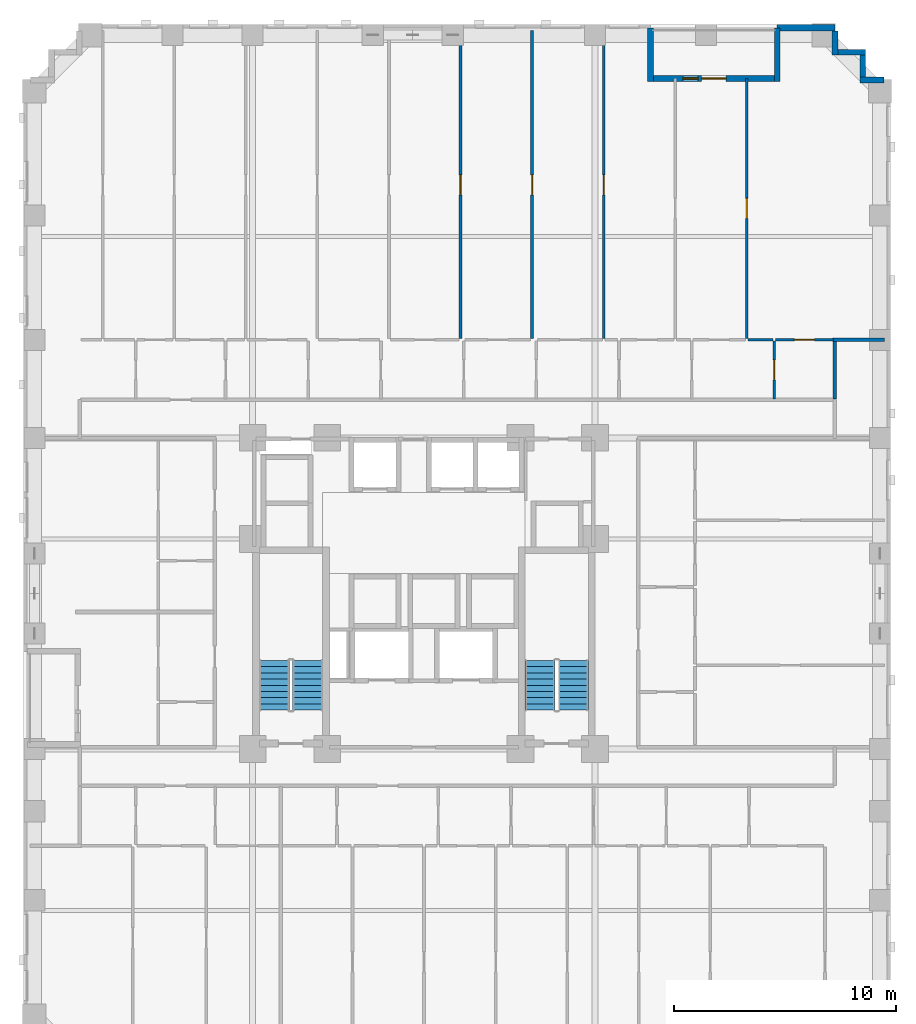
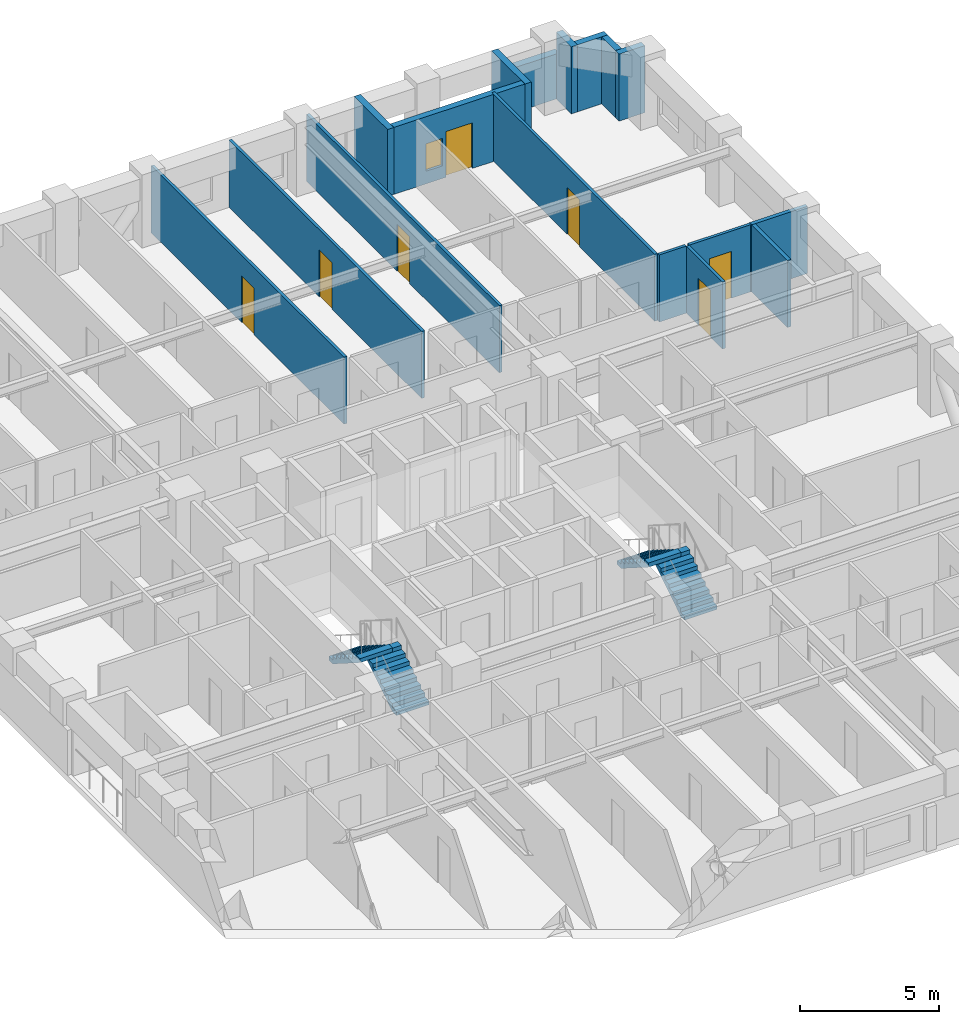
# One storey, part 9 of 14: 17 walls, 7 doors, 4 stair flights, 1 window, 8 openings, 2 elements without a shape of their own.
"""IFC4 building model written with IfcOpenShell, lengths in metres."""

from ifc_helpers import new_model, si_unit, derived_unit, direction, frame, frame_2d, origin, place, context, subcontext, project, spatial, polyline, rectangle, outline, extrude, material, layer, layer_set, type_object, element, fill, aggregate, save


model = new_model("IFC4")

# Units and contexts
model_context = context("Model", 3, precision=1e-05, world=origin(), true_north=direction((0.0, 1.0)))
body_context = subcontext(model_context, "Body", "Model", "MODEL_VIEW")
ifc_project = project(units=[si_unit("LENGTHUNIT", "METRE"), si_unit("AREAUNIT", "SQUARE_METRE"), si_unit("VOLUMEUNIT", "CUBIC_METRE"), si_unit("PLANEANGLEUNIT", "RADIAN"), si_unit("MASSUNIT", "GRAM", prefix="KILO"), derived_unit("THERMALTRANSMITTANCEUNIT", [(si_unit("MASSUNIT", "GRAM", prefix="KILO"), 1), (si_unit("TIMEUNIT", "SECOND"), -3), (si_unit("THERMODYNAMICTEMPERATUREUNIT", "KELVIN"), -1)])], contexts=[model_context])

# Site, building, storey
site_placement = place(None, origin())
site = spatial("IfcSite", under=ifc_project, at=site_placement, CompositionType="ELEMENT")
building_placement = place(site_placement, origin())
building = spatial("IfcBuilding", under=site, at=building_placement, Name="Korrvale Station Residences", CompositionType="ELEMENT")
storey_placement = place(building_placement, frame((0.0, 0.0, 45.0)))
storey = spatial("IfcBuildingStorey", under=building, at=storey_placement, Name="L11", CompositionType="ELEMENT", Elevation=45.0)

# Wall
ifc_material_1 = material(Name="Precast concrete C45/55", Category="concrete")
ifc_layer_1 = layer(ifc_material_1, 0.260009765625, Name="Precast concrete C45/55")
ifc_layer_set_1 = layer_set([ifc_layer_1], Name="Precast concrete C45/55")
wall_type_1 = type_object("IfcWallType", Name="WAL-EXT-LOG260", PredefinedType="SOLIDWALL", material=ifc_layer_set_1)
wall_1_placement = place(storey_placement, frame((35.699951171875, 47.43994140625, 0.0), z_axis=(0.0, 0.0, 1.0), x_axis=(0.0, -1.0, 0.0)))
element("IfcWall", 1, at=wall_1_placement, inside=storey, type_object=wall_type_1, Name="L11 Recessed Loggia Wall BAL-L11-N1-L", PredefinedType="SOLIDWALL", context=body_context, shape_type="SweptSolid", body=[
    extrude(rectangle(XDim=2.39990234375, YDim=0.260009765625, at=frame_2d((1.199951171875, 0.0))), origin(), (0.0, 0.0, 1.0), 2.93994140625),
])

# Wall, openings, door, window
wall_2_placement = place(storey_placement, frame((35.833984375, 45.169921875, 0.0), z_axis=(0.0, 0.0, 1.0), x_axis=(1.0, 0.0, 0.0)))
wall_2 = element("IfcWall", 2, at=wall_2_placement, inside=storey, type_object=wall_type_1, Name="L11 Recessed Loggia Wall BAL-L11-N1-B", PredefinedType="SOLIDWALL", context=body_context, shape_type="SweptSolid", body=[
    extrude(rectangle(XDim=5.43212890625, YDim=0.260009765625, at=frame_2d((2.716064453125, 0.0))), origin(), (0.0, 0.0, 1.0), 2.93994140625),
])
opening_1_placement = place(wall_2_placement, frame((2.166015625, 0.0, 0.0)))
opening_1 = element("IfcOpeningElement", 3, at=opening_1_placement, cuts=wall_2, Name="Opening BD-01", PredefinedType="OPENING", context=body_context, shape_type="SweptSolid", body=[
    extrude(rectangle(XDim=1.10009765625, YDim=2.0, at=frame_2d((0.550048828125, 1.0))), frame((0.0, 0.14013671875, 0.0), z_axis=(0.0, -1.0, 0.0), x_axis=(1.0, 0.0, 0.0)), (0.0, 0.0, 1.0), 0.280029296875),
])
opening_2_placement = place(wall_2_placement, frame((1.325927734375, 0.0, 0.550048828125)))
opening_2 = element("IfcOpeningElement", 4, at=opening_2_placement, cuts=wall_2, Name="Opening W-12", PredefinedType="OPENING", context=body_context, shape_type="SweptSolid", body=[
    extrude(rectangle(XDim=0.679931640625, YDim=1.199951171875, at=frame_2d((0.33984375, 0.60009765625))), frame((0.0, 0.14013671875, 0.0), z_axis=(0.0, -1.0, 0.0), x_axis=(1.0, 0.0, 0.0)), (0.0, 0.0, 1.0), 0.280029296875),
])
ifc_material_2 = material(Name="Exterior thermally broken aluminium glazed balcony door", Category="aluminium")
door_type_1 = type_object("IfcDoorType", Name="DR-EXT-BAL", OperationType="NOTDEFINED", PredefinedType="DOOR", material=ifc_material_2)
door_1_placement = place(opening_1_placement, origin())
door_1 = element("IfcDoor", 5, at=door_1_placement, inside=storey, type_object=door_type_1, Name="L11 Loggia Balcony Door BAL-L11-N1", OperationType="SINGLE_SWING_RIGHT", OverallHeight=2.0, OverallWidth=1.10009765625, PredefinedType="DOOR", context=body_context, shape_type="SweptSolid", body=[
    extrude(rectangle(XDim=1.10009765625, YDim=2.0, at=frame_2d((0.550048828125, 1.0))), frame((0.0, 0.02490234375, 0.0), z_axis=(0.0, -1.0, 0.0), x_axis=(1.0, 0.0, 0.0)), (0.0, 0.0, 1.0), 0.050048828125),
])
fill(opening_1, door_1)
ifc_material_3 = material(Name="Thermally broken aluminium frame with triple low-e glazing", Category="aluminium")
window_type = type_object("IfcWindowType", Name="WIN-W12", PartitioningType="SINGLE_PANEL", PredefinedType="WINDOW", material=ifc_material_3)
window_placement = place(opening_2_placement, origin())
window = element("IfcWindow", 6, at=window_placement, inside=storey, type_object=window_type, Name="L11 Punched Window 22", OverallHeight=1.199951171875, OverallWidth=0.679931640625, PartitioningType="SINGLE_PANEL", PredefinedType="WINDOW", context=body_context, shape_type="SweptSolid", body=[
    extrude(rectangle(XDim=0.679931640625, YDim=1.199951171875, at=frame_2d((0.33984375, 0.60009765625))), frame((0.0, 0.030029296875, 0.0), z_axis=(0.0, -1.0, 0.0), x_axis=(1.0, 0.0, 0.0)), (0.0, 0.0, 1.0), 0.06005859375),
])
fill(opening_2, window)

# Walls
wall_3_placement = place(storey_placement, frame((41.39990234375, 45.0400390625, 0.0), z_axis=(0.0, 0.0, 1.0), x_axis=(0.0, 1.0, 0.0)))
element("IfcWall", 7, at=wall_3_placement, inside=storey, type_object=wall_type_1, Name="L11 Recessed Loggia Wall BAL-L11-N1-R", PredefinedType="SOLIDWALL", context=body_context, shape_type="SweptSolid", body=[
    extrude(rectangle(XDim=2.39990234375, YDim=0.260009765625, at=frame_2d((1.199951171875, 0.0))), origin(), (0.0, 0.0, 1.0), 2.93994140625),
])
wall_4_placement = place(storey_placement, frame((44.0, 47.298095703125, 0.0), z_axis=(0.0, 0.0, 1.0), x_axis=(0.0, -1.0, 0.0)))
element("IfcWall", 8, at=wall_4_placement, inside=storey, type_object=wall_type_1, Name="L11 Serrated Corner Precast Step NE-1", PredefinedType="SOLIDWALL", context=body_context, shape_type="SweptSolid", body=[
    extrude(rectangle(XDim=1.078125, YDim=0.260009765625, at=frame_2d((0.5390625, 0.0))), origin(), (0.0, 0.0, 1.0), 2.93994140625),
])
wall_5_placement = place(storey_placement, frame((44.132080078125, 46.35009765625, 0.0), z_axis=(0.0, 0.0, 1.0), x_axis=(1.0, 0.0, 0.0)))
element("IfcWall", 9, at=wall_5_placement, inside=storey, type_object=wall_type_1, Name="L11 Serrated Corner Precast Step NE-2", PredefinedType="SOLIDWALL", context=body_context, shape_type="SweptSolid", body=[
    extrude(rectangle(XDim=1.247802734375, YDim=0.260009765625, at=frame_2d((0.6240234375, 0.0))), origin(), (0.0, 0.0, 1.0), 2.93994140625),
])
wall_6_placement = place(storey_placement, frame((45.25, 46.218017578125, 0.0), z_axis=(0.0, 0.0, 1.0), x_axis=(0.0, -1.0, 0.0)))
element("IfcWall", 10, at=wall_6_placement, inside=storey, type_object=wall_type_1, Name="L11 Serrated Corner Precast Step NE-3", PredefinedType="SOLIDWALL", context=body_context, shape_type="SweptSolid", body=[
    extrude(rectangle(XDim=0.986083984375, YDim=0.260009765625, at=frame_2d((0.4931640625, 0.0))), origin(), (0.0, 0.0, 1.0), 2.93994140625),
])
wall_7_placement = place(storey_placement, frame((45.1201171875, 45.10009765625, 0.0), z_axis=(0.0, 0.0, 1.0), x_axis=(1.0, 0.0, 0.0)))
element("IfcWall", 11, at=wall_7_placement, inside=storey, type_object=wall_type_1, Name="L11 Serrated Corner Precast Step NE-4", PredefinedType="SOLIDWALL", context=body_context, shape_type="SweptSolid", body=[
    extrude(rectangle(XDim=1.077880859375, YDim=0.260009765625, at=frame_2d((0.5390625, 0.0))), origin(), (0.0, 0.0, 1.0), 2.93994140625),
])
ifc_layer_2 = layer(ifc_material_1, 0.300048828125, Name="Precast concrete C45/55")
ifc_layer_set_2 = layer_set([ifc_layer_2], Name="Precast concrete C45/55")
wall_type_2 = type_object("IfcWallType", Name="WAL-EXT-PC300", PredefinedType="SOLIDWALL", material=ifc_layer_set_2)
wall_8_placement = place(storey_placement, frame((41.39990234375, 47.449951171875, 0.0), z_axis=(0.0, 0.0, 1.0), x_axis=(1.0, 0.0, 0.0)))
element("IfcWall", 12, at=wall_8_placement, inside=storey, type_object=wall_type_2, Name="L11 North Exterior Precast Wall 2", PredefinedType="SOLIDWALL", context=body_context, shape_type="SweptSolid", body=[
    extrude(rectangle(XDim=2.60009765625, YDim=0.300048828125, at=frame_2d((1.300048828125, 0.0))), origin(), (0.0, 0.0, 1.0), 1.97509765625),
])

# Wall, opening, door
ifc_material_4 = material(Name="Acoustic steel-stud gypsum board partition", Category="steel")
ifc_layer_3 = layer(ifc_material_4, 0.1201171875, Name="Acoustic steel-stud gypsum board partition")
ifc_layer_set_3 = layer_set([ifc_layer_3], Name="Acoustic steel-stud gypsum board partition")
wall_type_3 = type_object("IfcWallType", Name="WAL-PART-125", PredefinedType="PARTITIONING", material=ifc_layer_set_3)
wall_9_placement = place(storey_placement, frame((41.27001953125, 30.760009765625, 0.0), z_axis=(0.0, 0.0, 1.0), x_axis=(0.0, 1.0, 0.0)))
wall_9 = element("IfcWall", 13, at=wall_9_placement, inside=storey, type_object=wall_type_3, Name="L11 Suite Partition U03-V89", PredefinedType="PARTITIONING", context=body_context, shape_type="SweptSolid", body=[
    extrude(rectangle(XDim=2.60009765625, YDim=0.1201171875, at=frame_2d((1.300048828125, 0.0))), origin(), (0.0, 0.0, 1.0), 2.93994140625),
])
opening_3_placement = place(wall_9_placement, frame((0.85009765625, 0.0, 0.0)))
opening_3 = element("IfcOpeningElement", 14, at=opening_3_placement, cuts=wall_9, Name="Opening DI-900", PredefinedType="OPENING", context=body_context, shape_type="SweptSolid", body=[
    extrude(rectangle(XDim=0.89990234375, YDim=2.050048828125, at=frame_2d((0.449951171875, 1.02490234375))), frame((0.0, 0.070068359375, 0.0), z_axis=(0.0, -1.0, 0.0), x_axis=(1.0, 0.0, 0.0)), (0.0, 0.0, 1.0), 0.14013671875),
])
ifc_material_5 = material(Name="Painted solid-core timber interior room door", Category="wood")
door_type_2 = type_object("IfcDoorType", Name="DR-INT-900", OperationType="NOTDEFINED", PredefinedType="DOOR", material=ifc_material_5)
door_2_placement = place(opening_3_placement, origin())
door_2 = element("IfcDoor", 15, at=door_2_placement, inside=storey, type_object=door_type_2, Name="L11 Studio Apartment L11-U03 Storage Closet 7 Door", OperationType="SINGLE_SWING_RIGHT", OverallHeight=2.050048828125, OverallWidth=0.89990234375, PredefinedType="DOOR", context=body_context, shape_type="SweptSolid", body=[
    extrude(rectangle(XDim=0.89990234375, YDim=2.050048828125, at=frame_2d((0.449951171875, 1.02490234375))), frame((0.0, 0.02490234375, 0.0), z_axis=(0.0, -1.0, 0.0), x_axis=(1.0, 0.0, 0.0)), (0.0, 0.0, 1.0), 0.050048828125),
])
fill(opening_3, door_2)

# Wall
wall_10_placement = place(storey_placement, frame((40.090087890625, 33.419921875, 0.0), z_axis=(0.0, 0.0, 1.0), x_axis=(1.0, 0.0, 0.0)))
element("IfcWall", 16, at=wall_10_placement, inside=storey, type_object=wall_type_3, Name="L11 Suite Partition U03-H820", PredefinedType="PARTITIONING", context=body_context, shape_type="SweptSolid", body=[
    extrude(rectangle(XDim=1.119873046875, YDim=0.1201171875, at=frame_2d((0.56005859375, 0.0))), origin(), (0.0, 0.0, 1.0), 2.93994140625),
])

# Wall, opening, door
wall_11_placement = place(storey_placement, frame((41.330078125, 33.419921875, 0.0), z_axis=(0.0, 0.0, 1.0), x_axis=(1.0, 0.0, 0.0)))
wall_11 = element("IfcWall", 17, at=wall_11_placement, inside=storey, type_object=wall_type_3, Name="L11 Suite Partition U03-H920", PredefinedType="PARTITIONING", context=body_context, shape_type="SweptSolid", body=[
    extrude(rectangle(XDim=2.58984375, YDim=0.1201171875, at=frame_2d((1.294921875, 0.0))), origin(), (0.0, 0.0, 1.0), 2.93994140625),
])
opening_4_placement = place(wall_11_placement, frame((0.844970703125, 0.0, 0.0)))
opening_4 = element("IfcOpeningElement", 18, at=opening_4_placement, cuts=wall_11, Name="Opening DI-900", PredefinedType="OPENING", context=body_context, shape_type="SweptSolid", body=[
    extrude(rectangle(XDim=0.89990234375, YDim=2.050048828125, at=frame_2d((0.449951171875, 1.02490234375))), frame((0.0, 0.070068359375, 0.0), z_axis=(0.0, -1.0, 0.0), x_axis=(1.0, 0.0, 0.0)), (0.0, 0.0, 1.0), 0.14013671875),
])
door_3_placement = place(opening_4_placement, origin())
door_3 = element("IfcDoor", 19, at=door_3_placement, inside=storey, type_object=door_type_2, Name="L11 Studio Apartment L11-U03 Storage Closet 8 Door", OperationType="SINGLE_SWING_RIGHT", OverallHeight=2.050048828125, OverallWidth=0.89990234375, PredefinedType="DOOR", context=body_context, shape_type="SweptSolid", body=[
    extrude(rectangle(XDim=0.89990234375, YDim=2.050048828125, at=frame_2d((0.449951171875, 1.02490234375))), frame((0.0, 0.02490234375, 0.0), z_axis=(0.0, -1.0, 0.0), x_axis=(1.0, 0.0, 0.0)), (0.0, 0.0, 1.0), 0.050048828125),
])
fill(opening_4, door_3)

wall_12_placement = place(storey_placement, frame((27.14990234375, 33.47998046875, 0.0), z_axis=(0.0, 0.0, 1.0), x_axis=(0.0, 1.0, 0.0)))
wall_12 = element("IfcWall", 20, at=wall_12_placement, inside=storey, type_object=wall_type_3, Name="L11 Suite Partition U03-V1516", PredefinedType="PARTITIONING", context=body_context, shape_type="SweptSolid", body=[
    extrude(rectangle(XDim=13.840087890625, YDim=0.1201171875, at=frame_2d((6.919921875, 0.0))), origin(), (0.0, 0.0, 1.0), 2.93994140625),
])
opening_5_placement = place(wall_12_placement, frame((6.455078125, 0.0, 0.0)))
opening_5 = element("IfcOpeningElement", 21, at=opening_5_placement, cuts=wall_12, Name="Opening DI-900", PredefinedType="OPENING", context=body_context, shape_type="SweptSolid", body=[
    extrude(rectangle(XDim=0.89990234375, YDim=2.050048828125, at=frame_2d((0.449951171875, 1.02490234375))), frame((0.0, 0.070068359375, 0.0), z_axis=(0.0, -1.0, 0.0), x_axis=(1.0, 0.0, 0.0)), (0.0, 0.0, 1.0), 0.14013671875),
])
door_4_placement = place(opening_5_placement, origin())
door_4 = element("IfcDoor", 22, at=door_4_placement, inside=storey, type_object=door_type_2, Name="L11 Studio Apartment L11-U03 Walk-In Wardrobe Door", OperationType="SINGLE_SWING_RIGHT", OverallHeight=2.050048828125, OverallWidth=0.89990234375, PredefinedType="DOOR", context=body_context, shape_type="SweptSolid", body=[
    extrude(rectangle(XDim=0.89990234375, YDim=2.050048828125, at=frame_2d((0.449951171875, 1.02490234375))), frame((0.0, 0.02490234375, 0.0), z_axis=(0.0, -1.0, 0.0), x_axis=(1.0, 0.0, 0.0)), (0.0, 0.0, 1.0), 0.050048828125),
])
fill(opening_5, door_4)

wall_13_placement = place(storey_placement, frame((30.3701171875, 33.47998046875, 0.0), z_axis=(0.0, 0.0, 1.0), x_axis=(0.0, 1.0, 0.0)))
wall_13 = element("IfcWall", 23, at=wall_13_placement, inside=storey, type_object=wall_type_3, Name="L11 Suite Partition U03-V1617", PredefinedType="PARTITIONING", context=body_context, shape_type="SweptSolid", body=[
    extrude(rectangle(XDim=13.840087890625, YDim=0.1201171875, at=frame_2d((6.919921875, 0.0))), origin(), (0.0, 0.0, 1.0), 2.93994140625),
])
opening_6_placement = place(wall_13_placement, frame((6.455078125, 0.0, 0.0)))
opening_6 = element("IfcOpeningElement", 24, at=opening_6_placement, cuts=wall_13, Name="Opening DI-900", PredefinedType="OPENING", context=body_context, shape_type="SweptSolid", body=[
    extrude(rectangle(XDim=0.89990234375, YDim=2.050048828125, at=frame_2d((0.449951171875, 1.02490234375))), frame((0.0, 0.070068359375, 0.0), z_axis=(0.0, -1.0, 0.0), x_axis=(1.0, 0.0, 0.0)), (0.0, 0.0, 1.0), 0.14013671875),
])
door_5_placement = place(opening_6_placement, origin())
door_5 = element("IfcDoor", 25, at=door_5_placement, inside=storey, type_object=door_type_2, Name="L11 Studio Apartment L11-U03 Walk-In Wardrobe Door", OperationType="SINGLE_SWING_LEFT", OverallHeight=2.050048828125, OverallWidth=0.89990234375, PredefinedType="DOOR", context=body_context, shape_type="SweptSolid", body=[
    extrude(rectangle(XDim=0.89990234375, YDim=2.050048828125, at=frame_2d((0.449951171875, 1.02490234375))), frame((0.0, 0.02490234375, 0.0), z_axis=(0.0, -1.0, 0.0), x_axis=(1.0, 0.0, 0.0)), (0.0, 0.0, 1.0), 0.050048828125),
])
fill(opening_6, door_5)

wall_14_placement = place(storey_placement, frame((33.590087890625, 33.47998046875, 0.0), z_axis=(0.0, 0.0, 1.0), x_axis=(0.0, 1.0, 0.0)))
wall_14 = element("IfcWall", 26, at=wall_14_placement, inside=storey, type_object=wall_type_3, Name="L11 Suite Partition U03-V1718", PredefinedType="PARTITIONING", context=body_context, shape_type="SweptSolid", body=[
    extrude(rectangle(XDim=13.840087890625, YDim=0.1201171875, at=frame_2d((6.919921875, 0.0))), origin(), (0.0, 0.0, 1.0), 2.93994140625),
])
opening_7_placement = place(wall_14_placement, frame((6.455078125, 0.0, 0.0)))
opening_7 = element("IfcOpeningElement", 27, at=opening_7_placement, cuts=wall_14, Name="Opening DI-900", PredefinedType="OPENING", context=body_context, shape_type="SweptSolid", body=[
    extrude(rectangle(XDim=0.89990234375, YDim=2.050048828125, at=frame_2d((0.449951171875, 1.02490234375))), frame((0.0, 0.070068359375, 0.0), z_axis=(0.0, -1.0, 0.0), x_axis=(1.0, 0.0, 0.0)), (0.0, 0.0, 1.0), 0.14013671875),
])
door_6_placement = place(opening_7_placement, origin())
door_6 = element("IfcDoor", 28, at=door_6_placement, inside=storey, type_object=door_type_2, Name="L11 Studio Apartment L11-U03 Walk-In Wardrobe Door", OperationType="SINGLE_SWING_RIGHT", OverallHeight=2.050048828125, OverallWidth=0.89990234375, PredefinedType="DOOR", context=body_context, shape_type="SweptSolid", body=[
    extrude(rectangle(XDim=0.89990234375, YDim=2.050048828125, at=frame_2d((0.449951171875, 1.02490234375))), frame((0.0, 0.02490234375, 0.0), z_axis=(0.0, -1.0, 0.0), x_axis=(1.0, 0.0, 0.0)), (0.0, 0.0, 1.0), 0.050048828125),
])
fill(opening_7, door_6)

wall_15_placement = place(storey_placement, frame((40.030029296875, 33.47998046875, 0.0), z_axis=(0.0, 0.0, 1.0), x_axis=(0.0, 1.0, 0.0)))
wall_15 = element("IfcWall", 29, at=wall_15_placement, inside=storey, type_object=wall_type_3, Name="L11 Suite Partition U03-V1920", PredefinedType="PARTITIONING", context=body_context, shape_type="SweptSolid", body=[
    extrude(rectangle(XDim=11.68994140625, YDim=0.1201171875, at=frame_2d((5.844970703125, 0.0))), origin(), (0.0, 0.0, 1.0), 2.93994140625),
])
opening_8_placement = place(wall_15_placement, frame((5.39501953125, 0.0, 0.0)))
opening_8 = element("IfcOpeningElement", 30, at=opening_8_placement, cuts=wall_15, Name="Opening DI-900", PredefinedType="OPENING", context=body_context, shape_type="SweptSolid", body=[
    extrude(rectangle(XDim=0.89990234375, YDim=2.050048828125, at=frame_2d((0.449951171875, 1.02490234375))), frame((0.0, 0.070068359375, 0.0), z_axis=(0.0, -1.0, 0.0), x_axis=(1.0, 0.0, 0.0)), (0.0, 0.0, 1.0), 0.14013671875),
])
door_7_placement = place(opening_8_placement, origin())
door_7 = element("IfcDoor", 31, at=door_7_placement, inside=storey, type_object=door_type_2, Name="L11 Studio Apartment L11-U03 Walk-In Wardrobe Door", OperationType="SINGLE_SWING_RIGHT", OverallHeight=2.050048828125, OverallWidth=0.89990234375, PredefinedType="DOOR", context=body_context, shape_type="SweptSolid", body=[
    extrude(rectangle(XDim=0.89990234375, YDim=2.050048828125, at=frame_2d((0.449951171875, 1.02490234375))), frame((0.0, 0.02490234375, 0.0), z_axis=(0.0, -1.0, 0.0), x_axis=(1.0, 0.0, 0.0)), (0.0, 0.0, 1.0), 0.050048828125),
])
fill(opening_8, door_7)

# Walls
ifc_material_6 = material(Name="Fire-rated twin-stud gypsum and mineral wool shaftwall assembly", Category="gypsum")
ifc_layer_4 = layer(ifc_material_6, 0.159912109375, Name="Fire-rated twin-stud gypsum and mineral wool shaftwall assembly")
ifc_layer_set_4 = layer_set([ifc_layer_4], Name="Fire-rated twin-stud gypsum and mineral wool shaftwall assembly")
wall_type_4 = type_object("IfcWallType", Name="WAL-PART-200", PredefinedType="PARTITIONING", material=ifc_layer_set_4)
wall_16_placement = place(storey_placement, frame((43.8798828125, 33.419921875, 0.0), z_axis=(0.0, 0.0, 1.0), x_axis=(1.0, 0.0, 0.0)))
element("IfcWall", 32, at=wall_16_placement, inside=storey, type_object=wall_type_4, Name="L11 Corner Step Wall U03-R", PredefinedType="PARTITIONING", context=body_context, shape_type="SweptSolid", body=[
    extrude(rectangle(XDim=2.340087890625, YDim=0.159912109375, at=frame_2d((1.169921875, 0.0))), origin(), (0.0, 0.0, 1.0), 2.93994140625),
])
wall_17_placement = place(storey_placement, frame((43.97998046875, 30.760009765625, 0.0), z_axis=(0.0, 0.0, 1.0), x_axis=(0.0, 1.0, 0.0)))
element("IfcWall", 33, at=wall_17_placement, inside=storey, type_object=wall_type_4, Name="L11 Corner Step Cheek U03-R", PredefinedType="PARTITIONING", context=body_context, shape_type="SweptSolid", body=[
    extrude(rectangle(XDim=2.659912109375, YDim=0.159912109375, at=frame_2d((1.330078125, 0.0))), origin(), (0.0, 0.0, 1.0), 2.93994140625),
])

# Stair, stair flights
ifc_material_7 = material(Name="Concrete C50/60", Category="concrete")
stair_type = type_object("IfcStairType", Name="STR-DL-1350-18R-1778", PredefinedType="HALF_TURN_STAIR", material=ifc_material_7)
stair_1_placement = place(storey_placement, origin())
stair_1 = element("IfcStair", 34, at=stair_1_placement, inside=storey, type_object=stair_type, Name="L11 Exit Stair 1", PredefinedType="HALF_TURN_STAIR")
stair_flight_type = type_object("IfcStairFlightType", Name="FLT-DL-1350-18R-1778", PredefinedType="STRAIGHT", material=ifc_material_7)
stair_flight_1_placement = place(storey_placement, frame((20.27490234375, 16.75, 0.0), z_axis=(0.0, 0.0, 1.0), x_axis=(0.0, 1.0, 0.0)))
stair_flight_1 = element("IfcStairFlight", 35, at=stair_flight_1_placement, type_object=stair_flight_type, Name="ST-1 flight 1", NumberOfRisers=9, NumberOfTreads=8, PredefinedType="STRAIGHT", RiserHeight=0.177777778, TreadLength=0.28, context=body_context, shape_type="SweptSolid", body=[
    extrude(outline(polyline([(0.0, 0.0), (0.0, 0.177734375), (0.280029296875, 0.177734375), (0.280029296875, 0.35546875), (0.56005859375, 0.35546875), (0.56005859375, 0.533447265625), (0.840087890625, 0.533447265625), (0.840087890625, 0.711181640625), (1.1201171875, 0.711181640625), (1.1201171875, 0.888916015625), (1.39990234375, 0.888916015625), (1.39990234375, 1.066650390625), (1.679931640625, 1.066650390625), (1.679931640625, 1.244384765625), (1.9599609375, 1.244384765625), (1.9599609375, 1.422119140625), (2.239990234375, 1.422119140625), (2.239990234375, 1.60009765625), (2.239990234375, 1.24462890625), (0.27978515625, 0.0), (0.0, 0.0)])), frame((0.0, 0.675048828125, 0.0), z_axis=(0.0, -1.0, 0.0), x_axis=(1.0, 0.0, 0.0)), (0.0, 0.0, 1.0), 1.35009765625),
])
stair_flight_2_placement = place(storey_placement, frame((18.77490234375, 18.989990234375, 1.60009765625), z_axis=(0.0, 0.0, 1.0), x_axis=(0.0, -1.0, 0.0)))
stair_flight_2 = element("IfcStairFlight", 36, at=stair_flight_2_placement, type_object=stair_flight_type, Name="ST-1 flight 2", NumberOfRisers=9, NumberOfTreads=8, PredefinedType="STRAIGHT", RiserHeight=0.177777778, TreadLength=0.28, context=body_context, shape_type="SweptSolid", body=[
    extrude(outline(polyline([(0.0, 0.0), (0.0, 0.177734375), (0.280029296875, 0.177734375), (0.280029296875, 0.35546875), (0.56005859375, 0.35546875), (0.56005859375, 0.533447265625), (0.840087890625, 0.533447265625), (0.840087890625, 0.711181640625), (1.1201171875, 0.711181640625), (1.1201171875, 0.888916015625), (1.39990234375, 0.888916015625), (1.39990234375, 1.066650390625), (1.679931640625, 1.066650390625), (1.679931640625, 1.244384765625), (1.9599609375, 1.244384765625), (1.9599609375, 1.422119140625), (2.239990234375, 1.422119140625), (2.239990234375, 1.60009765625), (2.239990234375, 1.24462890625), (0.27978515625, 0.0), (0.0, 0.0)])), frame((0.0, 0.675048828125, 0.0), z_axis=(0.0, -1.0, 0.0), x_axis=(1.0, 0.0, 0.0)), (0.0, 0.0, 1.0), 1.35009765625),
])
aggregate(stair_1, [stair_flight_1, stair_flight_2])

stair_2_placement = place(storey_placement, origin())
stair_2 = element("IfcStair", 37, at=stair_2_placement, inside=storey, type_object=stair_type, Name="L11 Exit Stair 2", PredefinedType="HALF_TURN_STAIR")
stair_flight_3_placement = place(storey_placement, frame((32.22509765625, 16.75, 0.0), z_axis=(0.0, 0.0, 1.0), x_axis=(0.0, 1.0, 0.0)))
stair_flight_3 = element("IfcStairFlight", 38, at=stair_flight_3_placement, type_object=stair_flight_type, Name="ST-2 flight 1", NumberOfRisers=9, NumberOfTreads=8, PredefinedType="STRAIGHT", RiserHeight=0.177777778, TreadLength=0.28, context=body_context, shape_type="SweptSolid", body=[
    extrude(outline(polyline([(0.0, 0.0), (0.0, 0.177734375), (0.280029296875, 0.177734375), (0.280029296875, 0.35546875), (0.56005859375, 0.35546875), (0.56005859375, 0.533447265625), (0.840087890625, 0.533447265625), (0.840087890625, 0.711181640625), (1.1201171875, 0.711181640625), (1.1201171875, 0.888916015625), (1.39990234375, 0.888916015625), (1.39990234375, 1.066650390625), (1.679931640625, 1.066650390625), (1.679931640625, 1.244384765625), (1.9599609375, 1.244384765625), (1.9599609375, 1.422119140625), (2.239990234375, 1.422119140625), (2.239990234375, 1.60009765625), (2.239990234375, 1.24462890625), (0.27978515625, 0.0), (0.0, 0.0)])), frame((0.0, 0.675048828125, 0.0), z_axis=(0.0, -1.0, 0.0), x_axis=(1.0, 0.0, 0.0)), (0.0, 0.0, 1.0), 1.35009765625),
])
stair_flight_4_placement = place(storey_placement, frame((30.72509765625, 18.989990234375, 1.60009765625), z_axis=(0.0, 0.0, 1.0), x_axis=(0.0, -1.0, 0.0)))
stair_flight_4 = element("IfcStairFlight", 39, at=stair_flight_4_placement, type_object=stair_flight_type, Name="ST-2 flight 2", NumberOfRisers=9, NumberOfTreads=8, PredefinedType="STRAIGHT", RiserHeight=0.177777778, TreadLength=0.28, context=body_context, shape_type="SweptSolid", body=[
    extrude(outline(polyline([(0.0, 0.0), (0.0, 0.177734375), (0.280029296875, 0.177734375), (0.280029296875, 0.35546875), (0.56005859375, 0.35546875), (0.56005859375, 0.533447265625), (0.840087890625, 0.533447265625), (0.840087890625, 0.711181640625), (1.1201171875, 0.711181640625), (1.1201171875, 0.888916015625), (1.39990234375, 0.888916015625), (1.39990234375, 1.066650390625), (1.679931640625, 1.066650390625), (1.679931640625, 1.244384765625), (1.9599609375, 1.244384765625), (1.9599609375, 1.422119140625), (2.239990234375, 1.422119140625), (2.239990234375, 1.60009765625), (2.239990234375, 1.24462890625), (0.27978515625, 0.0), (0.0, 0.0)])), frame((0.0, 0.675048828125, 0.0), z_axis=(0.0, -1.0, 0.0), x_axis=(1.0, 0.0, 0.0)), (0.0, 0.0, 1.0), 1.35009765625),
])
aggregate(stair_2, [stair_flight_3, stair_flight_4])

save(model, "model.ifc")
